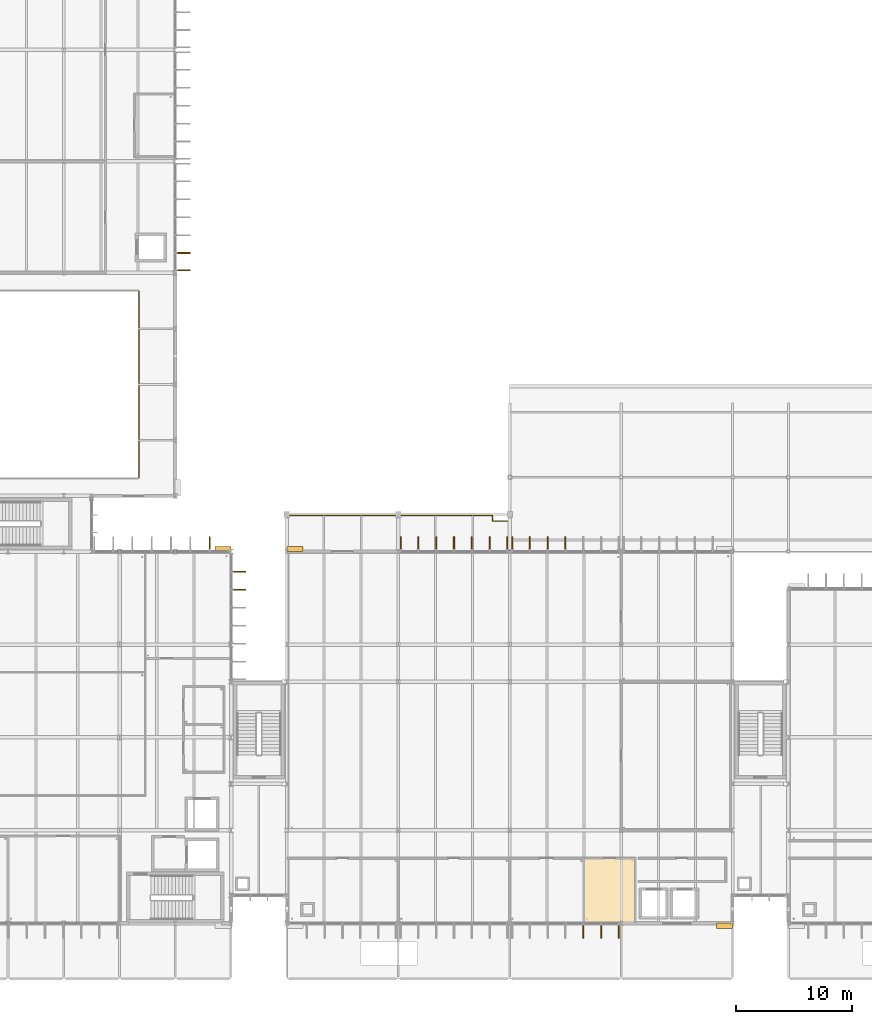
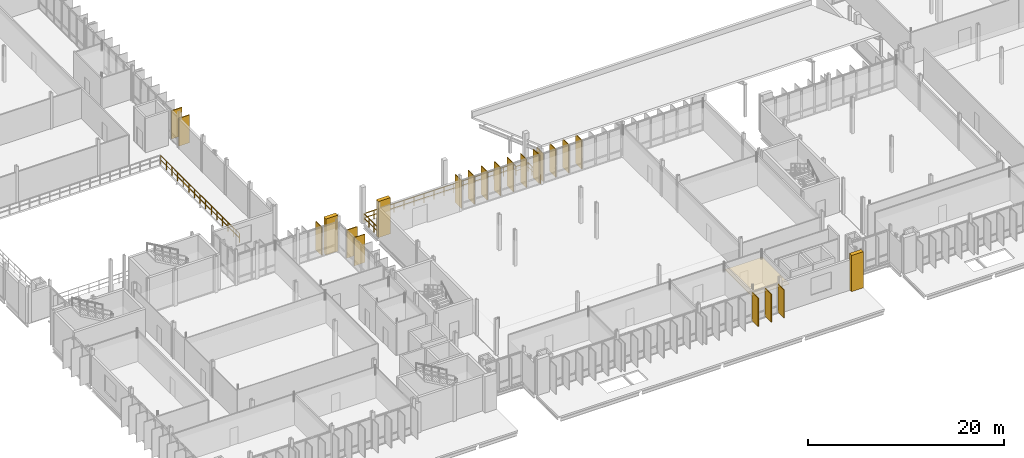
# One storey, part 101 of 107: 23 coverings, 2 railings.
"""IFC4 building model written with IfcOpenShell, lengths in metres."""

import ifcopenshell
import ifcopenshell.guid

model = None  # the IFC model being written
_history = None  # IfcOwnerHistory: only IFC2X3 demands one
_inside = {}  # id of a spatial element -> (the spatial element, [elements in it])
_under = {}  # id of a project, library or spatial element -> (it, [spatial elements below it])
_declared = {}  # id of a project -> (the project, [libraries it declares])
_typed = {}  # id of a type object -> (the type object, [elements of that type])
_made_of = {}  # id of a material, layer set ... -> (it, [elements and type objects made of it])


def new_model(schema):
    """Start an empty IFC model of exactly this schema.

    Asked for "IFC4X3", IfcOpenShell would pick the latest addendum, in which some entities
    have other attributes; the version numbers below select the first issue.
    IFC2X3 requires an IfcOwnerHistory on every rooted entity: one is made here for all.
    """
    global model, _history
    if schema == "IFC4X3":
        model = ifcopenshell.file(schema_version=(4, 3, 0, 0))
    else:
        model = ifcopenshell.file(schema=schema)
    _inside.clear()
    _under.clear()
    _declared.clear()
    _typed.clear()
    _made_of.clear()
    _history = None
    if model.schema == "IFC2X3":
        org = make("IfcOrganization", Name="unknown")
        user = make(
            "IfcPersonAndOrganization",
            ThePerson=make("IfcPerson", FamilyName="unknown"),
            TheOrganization=org,
        )
        app = make(
            "IfcApplication",
            ApplicationDeveloper=org,
            Version="unknown",
            ApplicationFullName="unknown",
            ApplicationIdentifier="unknown",
        )
        _history = make(
            "IfcOwnerHistory",
            OwningUser=user,
            OwningApplication=app,
            ChangeAction="ADDED",
            CreationDate=0,
        )
    return model


def make(cls, **values):
    """One entity of the class cls with the attributes given. An attribute that is None is left unset."""
    return model.create_entity(
        cls, **{name: value for name, value in values.items() if value is not None}
    )


def rooted(cls, **values):
    """An entity with a GlobalId (a new one), such as an element, a storey or a relation."""
    return make(cls, GlobalId=ifcopenshell.guid.new(), OwnerHistory=_history, **values)


def si_unit(unit_type, name, prefix=None):
    """IfcSIUnit, for example si_unit("LENGTHUNIT", "METRE", prefix="MILLI")."""
    return make("IfcSIUnit", UnitType=unit_type, Prefix=prefix, Name=name)


def assignment(units):
    """IfcUnitAssignment: the units of a project."""
    return None if units is None else make("IfcUnitAssignment", Units=units)


def point(xyz):
    """IfcCartesianPoint."""
    return None if xyz is None else make("IfcCartesianPoint", Coordinates=xyz)


def direction(xyz):
    """IfcDirection."""
    return None if xyz is None else make("IfcDirection", DirectionRatios=xyz)


def frame(location, z_axis=None, x_axis=None):
    """IfcAxis2Placement3D, a coordinate frame: its origin and axes. An axis left out is left unset."""
    return make(
        "IfcAxis2Placement3D",
        Location=point(location),
        Axis=direction(z_axis),
        RefDirection=direction(x_axis),
    )


def frame_2d(location, x_axis=None):
    """IfcAxis2Placement2D, a coordinate frame in the plane: its origin and x axis."""
    return make(
        "IfcAxis2Placement2D", Location=point(location), RefDirection=direction(x_axis)
    )


def origin():
    """The frame at (0, 0, 0) with its axes left unset."""
    return frame((0.0, 0.0, 0.0))


def origin_2d():
    """The frame at (0, 0) in the plane with its x axis left unset."""
    return frame_2d((0.0, 0.0))


def place(relative_to, where):
    """IfcLocalPlacement: puts the frame where relative to a parent placement (None: the world)."""
    return make(
        "IfcLocalPlacement", PlacementRelTo=relative_to, RelativePlacement=where
    )


def context(
    kind, dimensions, precision=None, world=None, true_north=None, identifier=None
):
    """IfcGeometricRepresentationContext, for example the 3D "Model" context."""
    return make(
        "IfcGeometricRepresentationContext",
        ContextIdentifier=identifier,
        ContextType=kind,
        CoordinateSpaceDimension=dimensions,
        Precision=precision,
        WorldCoordinateSystem=world,
        TrueNorth=true_north,
    )


def subcontext(parent, identifier, kind, view, scale=None):
    """IfcGeometricRepresentationSubContext, for example "Body" below "Model"."""
    return make(
        "IfcGeometricRepresentationSubContext",
        ContextIdentifier=identifier,
        ContextType=kind,
        ParentContext=parent,
        TargetScale=scale,
        TargetView=view,
    )


def project(units=None, contexts=None):
    """IfcProject with its units and contexts."""
    return rooted(
        "IfcProject",
        Name="project",
        RepresentationContexts=contexts,
        UnitsInContext=assignment(units),
    )


def spatial(cls, under=None, at=None, **own):
    """A site, building, storey or space (cls), placed at a placement, below another one or the project."""
    s = rooted(cls, ObjectPlacement=at, **own)
    if under is not None:
        _under.setdefault(under.id(), (under, []))[1].append(s)
    return s


def polyline(points):
    """IfcPolyline through the points."""
    return make("IfcPolyline", Points=[point(p) for p in points])


def profile(cls, at=None, kind="AREA", **sizes):
    """A parametric profile (cls). Its sizes go by their IFC names, for example OverallWidth=200.0."""
    return make(cls, ProfileType=kind, Position=at, **sizes)


def rectangle(**sizes):
    """IfcRectangleProfileDef."""
    return profile("IfcRectangleProfileDef", **sizes)


def circle(**sizes):
    """IfcCircleProfileDef."""
    return profile("IfcCircleProfileDef", **sizes)


def outline(outer, holes=None, kind="AREA"):
    """IfcArbitraryClosedProfileDef: a profile drawn as a closed curve; with holes, ...WithVoids."""
    if holes is None:
        return make("IfcArbitraryClosedProfileDef", ProfileType=kind, OuterCurve=outer)
    return make(
        "IfcArbitraryProfileDefWithVoids",
        ProfileType=kind,
        OuterCurve=outer,
        InnerCurves=holes,
    )


def extrude(swept, where, along, depth):
    """IfcExtrudedAreaSolid: the profile swept, set in the frame where, extruded along a direction by depth."""
    return make(
        "IfcExtrudedAreaSolid",
        SweptArea=swept,
        Position=where,
        ExtrudedDirection=direction(along),
        Depth=depth,
    )


def shape(context_of_items, identifier, shape_type, items):
    """IfcShapeRepresentation: the items that make up one representation, for example the "Body"."""
    return make(
        "IfcShapeRepresentation",
        ContextOfItems=context_of_items,
        RepresentationIdentifier=identifier,
        RepresentationType=shape_type,
        Items=items,
    )


def material(Name=None, Category=None):
    """IfcMaterial."""
    return make("IfcMaterial", Name=Name, Category=Category)


def layer(
    of_material, thickness, ventilated=None, Name=None, Category=None, Priority=None
):
    """IfcMaterialLayer: one layer of a wall or slab, of a material (None: an air gap)."""
    return make(
        "IfcMaterialLayer",
        Material=of_material,
        LayerThickness=thickness,
        IsVentilated=ventilated,
        Name=Name,
        Category=Category,
        Priority=Priority,
    )


def layer_set(layers, Name=None):
    """IfcMaterialLayerSet."""
    return make("IfcMaterialLayerSet", MaterialLayers=layers, LayerSetName=Name)


def made_of(thing, what):
    """Note that an element or type object is made of a material, layer set ...; save() writes the relation."""
    if what is not None:
        _made_of.setdefault(what.id(), (what, []))[1].append(thing)
    return thing


def type_object(cls, material=None, **own):
    """A type object (cls), such as IfcWallType, which elements share."""
    return made_of(rooted(cls, **own), material)


def element(
    cls,
    number,
    at=None,
    inside=None,
    cuts=None,
    type_object=None,
    material=None,
    context=None,
    identifier="Body",
    shape_type=None,
    held_by="IfcProductDefinitionShape",
    body=None,
    shapes=None,
    **own,
):
    """One element of the class cls, such as IfcWall. Its Tag is "e" and its number.

    at: its placement. inside: the storey or other place that contains it. cuts: it is an
    opening in that element (IfcRelVoidsElement). A single representation is given by context,
    identifier, shape_type and body (its items); several are given by shapes. held_by: the class
    of the entity that holds the representations. save() writes the other relations.
    """
    e = rooted(cls, Tag="e%d" % number, ObjectPlacement=at, **own)
    if body is not None:
        shapes = [shape(context, identifier, shape_type, body)]
    if shapes is not None:
        e.Representation = make(held_by, Representations=shapes)
    if inside is not None:
        _inside.setdefault(inside.id(), (inside, []))[1].append(e)
    if cuts is not None:
        rooted(
            "IfcRelVoidsElement", RelatingBuildingElement=cuts, RelatedOpeningElement=e
        )
    if type_object is not None:
        _typed.setdefault(type_object.id(), (type_object, []))[1].append(e)
    return made_of(e, material)


def aggregate(whole, parts):
    """IfcRelAggregates: a whole, such as a stair, and the parts it consists of."""
    return rooted("IfcRelAggregates", RelatingObject=whole, RelatedObjects=parts)


def save(model, path):
    """Write the relations noted so far, then the file.

    IfcRelAggregates (storeys below a building ...), IfcRelContainedInSpatialStructure (elements
    in a storey), IfcRelDefinesByType, IfcRelAssociatesMaterial and IfcRelDeclares: one each for
    every whole, place, type object, material and project.
    """
    for whole, parts in _under.values():
        aggregate(whole, parts)
    for where, things in _inside.values():
        rooted(
            "IfcRelContainedInSpatialStructure",
            RelatedElements=things,
            RelatingStructure=where,
        )
    for kind, things in _typed.values():
        rooted("IfcRelDefinesByType", RelatedObjects=things, RelatingType=kind)
    for what, things in _made_of.values():
        rooted("IfcRelAssociatesMaterial", RelatedObjects=things, RelatingMaterial=what)
    for by, libraries in _declared.values():
        rooted("IfcRelDeclares", RelatingContext=by, RelatedDefinitions=libraries)
    model.write(path)


model = new_model("IFC4")

# Units and contexts
model_context = context("Model", 3, precision=1e-05, world=origin(), true_north=direction((0.0, 1.0)))
body_context = subcontext(model_context, "Body", "Model", "MODEL_VIEW")
ifc_project = project(units=[si_unit("LENGTHUNIT", "METRE"), si_unit("AREAUNIT", "SQUARE_METRE"), si_unit("VOLUMEUNIT", "CUBIC_METRE"), si_unit("PLANEANGLEUNIT", "RADIAN"), si_unit("MASSUNIT", "GRAM", prefix="KILO")], contexts=[model_context])

# Site, building, storey
site_placement = place(None, origin())
site = spatial("IfcSite", under=ifc_project, at=site_placement, CompositionType="ELEMENT")
building_placement = place(site_placement, origin())
building = spatial("IfcBuilding", under=site, at=building_placement, Name="Dunescarp Central Library", CompositionType="ELEMENT")
storey_placement = place(building_placement, frame((0.0, 0.0, 5.10009765625)))
storey = spatial("IfcBuildingStorey", under=building, at=storey_placement, Name="L01", CompositionType="ELEMENT", Elevation=5.10009765625)

# Coverings
ifc_material_1 = material(Name="Mineral-fibre acoustic ceiling tile")
ifc_layer_1 = layer(ifc_material_1, 0.0400390625)
ifc_layer_set_1 = layer_set([ifc_layer_1], Name="Mineral-fibre acoustic ceiling tile")
covering_type_1 = type_object("IfcCoveringType", Name="ARC-COV-CEIL40", PredefinedType="CEILING", material=ifc_layer_set_1)
covering_1_placement = place(storey_placement, frame((0.0, 0.0, 3.0498046875)))
element("IfcCovering", 1, at=covering_1_placement, inside=storey, type_object=covering_type_1, Name="L01 ceiling Wing Washrooms & WC", PredefinedType="CEILING", context=body_context, shape_type="SweptSolid", body=[
    extrude(outline(polyline([(63.97998046875, 4.919921875), (68.419921875, 4.919921875), (68.419921875, 10.419921875), (63.97998046875, 10.419921875), (63.97998046875, 4.919921875)])), origin(), (0.0, 0.0, 1.0), 0.0400390625),
])
ifc_material_2 = material(Name="Glass-fibre reinforced concrete GRC", Category="concrete")
ifc_layer_2 = layer(ifc_material_2, 0.090087890625)
ifc_layer_set_2 = layer_set([ifc_layer_2], Name="Glass-fibre reinforced concrete GRC")
covering_type_2 = type_object("IfcCoveringType", Name="ARC-COV-FIN1250", PredefinedType="CLADDING", material=ifc_layer_set_2)
covering_2_placement = place(storey_placement, frame((31.760986328125, 37.4619140625, 0.08056640625), z_axis=(0.0, 0.0, 1.0), x_axis=(0.0, 1.0, 0.0)))
element("IfcCovering", 2, at=covering_2_placement, inside=storey, type_object=covering_type_2, Name="L01 parametric vertical facade fin FIN-L01-0056", PredefinedType="CLADDING", context=body_context, shape_type="SweptSolid", body=[
    extrude(rectangle(XDim=1.25, YDim=0.090087890625, at=origin_2d()), origin(), (0.0, 0.0, 1.0), 3.510986328125),
])
covering_3_placement = place(storey_placement, frame((34.261962890625, 35.074951171875, 0.180419921875), z_axis=(0.0, 0.0, 1.0), x_axis=(1.0, 0.0, 0.0)))
element("IfcCovering", 3, at=covering_3_placement, inside=storey, type_object=covering_type_2, Name="L01 parametric vertical facade fin FIN-L01-0070", PredefinedType="CLADDING", context=body_context, shape_type="SweptSolid", body=[
    extrude(rectangle(XDim=1.25, YDim=0.090087890625, at=origin_2d()), origin(), (0.0, 0.0, 1.0), 3.5048828125),
])
covering_4_placement = place(storey_placement, frame((34.261962890625, 33.52490234375, 0.163330078125), z_axis=(0.0, 0.0, 1.0), x_axis=(1.0, 0.0, 0.0)))
element("IfcCovering", 4, at=covering_4_placement, inside=storey, type_object=covering_type_2, Name="L01 parametric vertical facade fin FIN-L01-0071", PredefinedType="CLADDING", context=body_context, shape_type="SweptSolid", body=[
    extrude(rectangle(XDim=1.25, YDim=0.090087890625, at=origin_2d()), origin(), (0.0, 0.0, 1.0), 3.52099609375),
])
covering_5_placement = place(storey_placement, frame((66.985107421875, 4.137939453125, 0.166748046875), z_axis=(0.0, 0.0, 1.0), x_axis=(0.0, -1.0, 0.0)))
element("IfcCovering", 5, at=covering_5_placement, inside=storey, type_object=covering_type_2, Name="L01 parametric vertical facade fin FIN-L01-0351", PredefinedType="CLADDING", context=body_context, shape_type="SweptSolid", body=[
    extrude(rectangle(XDim=1.25, YDim=0.090087890625, at=origin_2d()), origin(), (0.0, 0.0, 1.0), 3.51806640625),
])
covering_6_placement = place(storey_placement, frame((65.48291015625, 4.137939453125, 0.180419921875), z_axis=(0.0, 0.0, 1.0), x_axis=(0.0, -1.0, 0.0)))
element("IfcCovering", 6, at=covering_6_placement, inside=storey, type_object=covering_type_2, Name="L01 parametric vertical facade fin FIN-L01-0352", PredefinedType="CLADDING", context=body_context, shape_type="SweptSolid", body=[
    extrude(rectangle(XDim=1.25, YDim=0.090087890625, at=origin_2d()), origin(), (0.0, 0.0, 1.0), 3.5048828125),
])
covering_7_placement = place(storey_placement, frame((63.94189453125, 4.137939453125, 0.163330078125), z_axis=(0.0, 0.0, 1.0), x_axis=(0.0, -1.0, 0.0)))
element("IfcCovering", 7, at=covering_7_placement, inside=storey, type_object=covering_type_2, Name="L01 parametric vertical facade fin FIN-L01-0353", PredefinedType="CLADDING", context=body_context, shape_type="SweptSolid", body=[
    extrude(rectangle(XDim=1.25, YDim=0.090087890625, at=origin_2d()), origin(), (0.0, 0.0, 1.0), 3.52099609375),
])
covering_8_placement = place(storey_placement, frame((48.215087890625, 37.4619140625, 0.166748046875), z_axis=(0.0, 0.0, 1.0), x_axis=(0.0, 1.0, 0.0)))
element("IfcCovering", 8, at=covering_8_placement, inside=storey, type_object=covering_type_2, Name="L01 parametric vertical facade fin FIN-L01-0358", PredefinedType="CLADDING", context=body_context, shape_type="SweptSolid", body=[
    extrude(rectangle(XDim=1.25, YDim=0.090087890625, at=origin_2d()), origin(), (0.0, 0.0, 1.0), 3.51806640625),
])
covering_9_placement = place(storey_placement, frame((49.717041015625, 37.4619140625, 0.180419921875), z_axis=(0.0, 0.0, 1.0), x_axis=(0.0, 1.0, 0.0)))
element("IfcCovering", 9, at=covering_9_placement, inside=storey, type_object=covering_type_2, Name="L01 parametric vertical facade fin FIN-L01-0359", PredefinedType="CLADDING", context=body_context, shape_type="SweptSolid", body=[
    extrude(rectangle(XDim=1.25, YDim=0.090087890625, at=origin_2d()), origin(), (0.0, 0.0, 1.0), 3.5048828125),
])
covering_10_placement = place(storey_placement, frame((51.258056640625, 37.4619140625, 0.163330078125), z_axis=(0.0, 0.0, 1.0), x_axis=(0.0, 1.0, 0.0)))
element("IfcCovering", 10, at=covering_10_placement, inside=storey, type_object=covering_type_2, Name="L01 parametric vertical facade fin FIN-L01-0360", PredefinedType="CLADDING", context=body_context, shape_type="SweptSolid", body=[
    extrude(rectangle(XDim=1.25, YDim=0.090087890625, at=origin_2d()), origin(), (0.0, 0.0, 1.0), 3.52099609375),
])
covering_11_placement = place(storey_placement, frame((52.800048828125, 37.4619140625, 0.122802734375), z_axis=(0.0, 0.0, 1.0), x_axis=(0.0, 1.0, 0.0)))
element("IfcCovering", 11, at=covering_11_placement, inside=storey, type_object=covering_type_2, Name="L01 parametric vertical facade fin FIN-L01-0361", PredefinedType="CLADDING", context=body_context, shape_type="SweptSolid", body=[
    extrude(rectangle(XDim=1.25, YDim=0.090087890625, at=origin_2d()), origin(), (0.0, 0.0, 1.0), 3.56201171875),
])
covering_12_placement = place(storey_placement, frame((54.342041015625, 37.4619140625, 0.080078125), z_axis=(0.0, 0.0, 1.0), x_axis=(0.0, 1.0, 0.0)))
element("IfcCovering", 12, at=covering_12_placement, inside=storey, type_object=covering_type_2, Name="L01 parametric vertical facade fin FIN-L01-0362", PredefinedType="CLADDING", context=body_context, shape_type="SweptSolid", body=[
    extrude(rectangle(XDim=1.25, YDim=0.090087890625, at=origin_2d()), origin(), (0.0, 0.0, 1.0), 3.593994140625),
])
covering_13_placement = place(storey_placement, frame((55.883056640625, 37.4619140625, 0.079833984375), z_axis=(0.0, 0.0, 1.0), x_axis=(0.0, 1.0, 0.0)))
element("IfcCovering", 13, at=covering_13_placement, inside=storey, type_object=covering_type_2, Name="L01 parametric vertical facade fin FIN-L01-0363", PredefinedType="CLADDING", context=body_context, shape_type="SweptSolid", body=[
    extrude(rectangle(XDim=1.25, YDim=0.090087890625, at=origin_2d()), origin(), (0.0, 0.0, 1.0), 3.5439453125),
])
covering_14_placement = place(storey_placement, frame((57.385009765625, 37.4619140625, 0.08056640625), z_axis=(0.0, 0.0, 1.0), x_axis=(0.0, 1.0, 0.0)))
element("IfcCovering", 14, at=covering_14_placement, inside=storey, type_object=covering_type_2, Name="L01 parametric vertical facade fin FIN-L01-0364", PredefinedType="CLADDING", context=body_context, shape_type="SweptSolid", body=[
    extrude(rectangle(XDim=1.25, YDim=0.090087890625, at=origin_2d()), origin(), (0.0, 0.0, 1.0), 3.510986328125),
])
covering_15_placement = place(storey_placement, frame((57.81494140625, 37.4619140625, 0.166748046875), z_axis=(0.0, 0.0, 1.0), x_axis=(0.0, 1.0, 0.0)))
element("IfcCovering", 15, at=covering_15_placement, inside=storey, type_object=covering_type_2, Name="L01 parametric vertical facade fin FIN-L01-0365", PredefinedType="CLADDING", context=body_context, shape_type="SweptSolid", body=[
    extrude(rectangle(XDim=1.25, YDim=0.090087890625, at=origin_2d()), origin(), (0.0, 0.0, 1.0), 3.51806640625),
])
covering_16_placement = place(storey_placement, frame((59.31689453125, 37.4619140625, 0.180419921875), z_axis=(0.0, 0.0, 1.0), x_axis=(0.0, 1.0, 0.0)))
element("IfcCovering", 16, at=covering_16_placement, inside=storey, type_object=covering_type_2, Name="L01 parametric vertical facade fin FIN-L01-0366", PredefinedType="CLADDING", context=body_context, shape_type="SweptSolid", body=[
    extrude(rectangle(XDim=1.25, YDim=0.090087890625, at=origin_2d()), origin(), (0.0, 0.0, 1.0), 3.5048828125),
])
covering_17_placement = place(storey_placement, frame((60.85791015625, 37.4619140625, 0.163330078125), z_axis=(0.0, 0.0, 1.0), x_axis=(0.0, 1.0, 0.0)))
element("IfcCovering", 17, at=covering_17_placement, inside=storey, type_object=covering_type_2, Name="L01 parametric vertical facade fin FIN-L01-0367", PredefinedType="CLADDING", context=body_context, shape_type="SweptSolid", body=[
    extrude(rectangle(XDim=1.25, YDim=0.090087890625, at=origin_2d()), origin(), (0.0, 0.0, 1.0), 3.52099609375),
])
covering_18_placement = place(storey_placement, frame((62.39990234375, 37.4619140625, 0.122802734375), z_axis=(0.0, 0.0, 1.0), x_axis=(0.0, 1.0, 0.0)))
element("IfcCovering", 18, at=covering_18_placement, inside=storey, type_object=covering_type_2, Name="L01 parametric vertical facade fin FIN-L01-0368", PredefinedType="CLADDING", context=body_context, shape_type="SweptSolid", body=[
    extrude(rectangle(XDim=1.25, YDim=0.090087890625, at=origin_2d()), origin(), (0.0, 0.0, 1.0), 3.56201171875),
])
covering_19_placement = place(storey_placement, frame((29.4619140625, 62.51708984375, 0.08056640625), z_axis=(0.0, 0.0, 1.0), x_axis=(1.0, 0.0, 0.0)))
element("IfcCovering", 19, at=covering_19_placement, inside=storey, type_object=covering_type_2, Name="L01 parametric vertical facade fin FIN-L01-0795", PredefinedType="CLADDING", context=body_context, shape_type="SweptSolid", body=[
    extrude(rectangle(XDim=1.25, YDim=0.090087890625, at=origin_2d()), origin(), (0.0, 0.0, 1.0), 3.510986328125),
])
covering_20_placement = place(storey_placement, frame((29.4619140625, 61.014892578125, 0.079833984375), z_axis=(0.0, 0.0, 1.0), x_axis=(1.0, 0.0, 0.0)))
element("IfcCovering", 20, at=covering_20_placement, inside=storey, type_object=covering_type_2, Name="L01 parametric vertical facade fin FIN-L01-0796", PredefinedType="CLADDING", context=body_context, shape_type="SweptSolid", body=[
    extrude(rectangle(XDim=1.25, YDim=0.090087890625, at=origin_2d()), origin(), (0.0, 0.0, 1.0), 3.47802734375),
])
ifc_layer_3 = layer(ifc_material_2, 0.449951171875)
ifc_layer_set_3 = layer_set([ifc_layer_3], Name="Glass-fibre reinforced concrete GRC")
covering_type_3 = type_object("IfcCoveringType", Name="ARC-COV-PORTAL", PredefinedType="CLADDING", material=ifc_layer_set_3)
for number, where, z_axis, x_axis, name in (
    (21, (39.10009765625, 37.02001953125, 0.0), (0.0, 0.0, 1.0), (1.0, 0.0, 0.0), "V2 sculpted GRC portal pier PRT-BAND-V2-006"),
    (22, (76.10009765625, 4.580078125, 0.0), (0.0, 0.0, 1.0), (1.0, 0.0, 0.0), "V2 sculpted GRC portal pier PRT-BAND-V2-007"),
    (23, (32.89990234375, 37.02001953125, 0.0), (0.0, 0.0, 1.0), (1.0, 0.0, 0.0), "V1 sculpted GRC portal pier PRT-BAND-V1-088"),
):
    element("IfcCovering", number, at=place(storey_placement, frame(where, z_axis=z_axis, x_axis=x_axis)), inside=storey, type_object=covering_type_3, Name=name, PredefinedType="CLADDING", context=body_context, shape_type="SweptSolid", body=[
        extrude(rectangle(XDim=1.39990234375, YDim=0.449951171875, at=origin_2d()), origin(), (0.0, 0.0, 1.0), 4.5),
    ])

# Railings
ifc_material_3 = material(Name="Stainless steel Grade 316L", Category="steel")
railing_type_1 = type_object("IfcRailingType", Name="ARC-RL-BAL", PredefinedType="BALUSTRADE", material=ifc_material_3)
railing_1_placement = place(storey_placement, frame((38.47998046875, 36.8798828125, 0.0)))
element("IfcRailing", 24, at=railing_1_placement, inside=storey, type_object=railing_type_1, Name="L01 terrace balustrade TER-L01-V2N", PredefinedType="BALUSTRADE", context=body_context, shape_type="SweptSolid", body=[
    extrude(circle(Radius=0.02392578125, at=origin_2d()), frame((0.0, 0.0, 1.076171875), z_axis=(0.0, 1.0, 0.0), x_axis=(-1.0, 0.0, 0.0)), (0.0, 0.0, 1.0), 3.0400390625),
    extrude(circle(Radius=0.02392578125, at=origin_2d()), frame((0.0, 0.0, 0.550048828125), z_axis=(0.0, 1.0, 0.0), x_axis=(-1.0, 0.0, 0.0)), (0.0, 0.0, 1.0), 3.0400390625),
    extrude(circle(Radius=0.02392578125, at=origin_2d()), frame((0.0, 3.0400390625, 1.076171875), z_axis=(1.0, 0.0, 0.0), x_axis=(0.0, 1.0, 0.0)), (0.0, 0.0, 1.0), 17.64013671875),
    extrude(circle(Radius=0.02392578125, at=origin_2d()), frame((0.0, 3.0400390625, 0.550048828125), z_axis=(1.0, 0.0, 0.0), x_axis=(0.0, 1.0, 0.0)), (0.0, 0.0, 1.0), 17.64013671875),
    extrude(circle(Radius=0.02392578125, at=origin_2d()), frame((17.64013671875, 3.0400390625, 1.076171875), z_axis=(0.0, -1.0, 0.0), x_axis=(1.0, 0.0, 0.0)), (0.0, 0.0, 1.0), 0.5),
    extrude(circle(Radius=0.02392578125, at=origin_2d()), frame((17.64013671875, 3.0400390625, 0.550048828125), z_axis=(0.0, -1.0, 0.0), x_axis=(1.0, 0.0, 0.0)), (0.0, 0.0, 1.0), 0.5),
    extrude(circle(Radius=0.02392578125, at=origin_2d()), frame((17.64013671875, 2.5400390625, 1.076171875), z_axis=(1.0, 0.0, 0.0), x_axis=(0.0, 1.0, 0.0)), (0.0, 0.0, 1.0), 1.39990234375),
    extrude(circle(Radius=0.02392578125, at=origin_2d()), frame((17.64013671875, 2.5400390625, 0.550048828125), z_axis=(1.0, 0.0, 0.0), x_axis=(0.0, 1.0, 0.0)), (0.0, 0.0, 1.0), 1.39990234375),
    extrude(circle(Radius=0.02392578125, at=origin_2d()), frame((19.0400390625, 2.5400390625, 1.076171875), z_axis=(0.0, -1.0, 0.0), x_axis=(1.0, 0.0, 0.0)), (0.0, 0.0, 1.0), 2.5400390625),
    extrude(circle(Radius=0.02392578125, at=origin_2d()), frame((19.0400390625, 2.5400390625, 0.550048828125), z_axis=(0.0, -1.0, 0.0), x_axis=(1.0, 0.0, 0.0)), (0.0, 0.0, 1.0), 2.5400390625),
    extrude(circle(Radius=0.02099609375, at=origin_2d()), origin(), (0.0, 0.0, 1.0), 1.052001953125),
    extrude(circle(Radius=0.02099609375, at=origin_2d()), frame((0.0, 1.013427734375, 0.0)), (0.0, 0.0, 1.0), 1.052001953125),
    extrude(circle(Radius=0.02099609375, at=origin_2d()), frame((0.0, 2.026611328125, 0.0)), (0.0, 0.0, 1.0), 1.052001953125),
    extrude(circle(Radius=0.02099609375, at=origin_2d()), frame((0.0, 3.0400390625, 0.0)), (0.0, 0.0, 1.0), 1.052001953125),
    extrude(circle(Radius=0.02099609375, at=origin_2d()), frame((1.176025390625, 3.0400390625, 0.0)), (0.0, 0.0, 1.0), 1.052001953125),
    extrude(circle(Radius=0.02099609375, at=origin_2d()), frame((2.35205078125, 3.0400390625, 0.0)), (0.0, 0.0, 1.0), 1.052001953125),
    extrude(circle(Radius=0.02099609375, at=origin_2d()), frame((3.528076171875, 3.0400390625, 0.0)), (0.0, 0.0, 1.0), 1.052001953125),
    extrude(circle(Radius=0.02099609375, at=origin_2d()), frame((4.7041015625, 3.0400390625, 0.0)), (0.0, 0.0, 1.0), 1.052001953125),
    extrude(circle(Radius=0.02099609375, at=origin_2d()), frame((5.880126953125, 3.0400390625, 0.0)), (0.0, 0.0, 1.0), 1.052001953125),
    extrude(circle(Radius=0.02099609375, at=origin_2d()), frame((7.05615234375, 3.0400390625, 0.0)), (0.0, 0.0, 1.0), 1.052001953125),
    extrude(circle(Radius=0.02099609375, at=origin_2d()), frame((8.232177734375, 3.0400390625, 0.0)), (0.0, 0.0, 1.0), 1.052001953125),
    extrude(circle(Radius=0.02099609375, at=origin_2d()), frame((9.407958984375, 3.0400390625, 0.0)), (0.0, 0.0, 1.0), 1.052001953125),
    extrude(circle(Radius=0.02099609375, at=origin_2d()), frame((10.583984375, 3.0400390625, 0.0)), (0.0, 0.0, 1.0), 1.052001953125),
    extrude(circle(Radius=0.02099609375, at=origin_2d()), frame((11.760009765625, 3.0400390625, 0.0)), (0.0, 0.0, 1.0), 1.052001953125),
    extrude(circle(Radius=0.02099609375, at=origin_2d()), frame((12.93603515625, 3.0400390625, 0.0)), (0.0, 0.0, 1.0), 1.052001953125),
    extrude(circle(Radius=0.02099609375, at=origin_2d()), frame((14.112060546875, 3.0400390625, 0.0)), (0.0, 0.0, 1.0), 1.052001953125),
    extrude(circle(Radius=0.02099609375, at=origin_2d()), frame((15.2880859375, 3.0400390625, 0.0)), (0.0, 0.0, 1.0), 1.052001953125),
    extrude(circle(Radius=0.02099609375, at=origin_2d()), frame((16.464111328125, 3.0400390625, 0.0)), (0.0, 0.0, 1.0), 1.052001953125),
    extrude(circle(Radius=0.02099609375, at=origin_2d()), frame((17.64013671875, 3.0400390625, 0.0)), (0.0, 0.0, 1.0), 1.052001953125),
    extrude(circle(Radius=0.02099609375, at=origin_2d()), frame((17.64013671875, 2.5400390625, 0.0)), (0.0, 0.0, 1.0), 1.052001953125),
    extrude(circle(Radius=0.02099609375, at=origin_2d()), frame((18.340087890625, 2.5400390625, 0.0)), (0.0, 0.0, 1.0), 1.052001953125),
    extrude(circle(Radius=0.02099609375, at=origin_2d()), frame((19.0400390625, 2.5400390625, 0.0)), (0.0, 0.0, 1.0), 1.052001953125),
    extrude(circle(Radius=0.02099609375, at=origin_2d()), frame((19.0400390625, 1.693359375, 0.0)), (0.0, 0.0, 1.0), 1.052001953125),
    extrude(circle(Radius=0.02099609375, at=origin_2d()), frame((19.0400390625, 0.8466796875, 0.0)), (0.0, 0.0, 1.0), 1.052001953125),
    extrude(circle(Radius=0.02099609375, at=origin_2d()), frame((19.0400390625, 0.0, 0.0)), (0.0, 0.0, 1.0), 1.052001953125),
])
railing_type_2 = type_object("IfcRailingType", Name="ARC-RL-GUARD", PredefinedType="GUARDRAIL", material=ifc_material_3)
railing_2_placement = place(storey_placement, frame((25.679931640625, 43.179931640625, 0.0)))
element("IfcRailing", 25, at=railing_2_placement, inside=storey, type_object=railing_type_2, Name="L01 void guardrail GRD-AUD-L01-E", PredefinedType="GUARDRAIL", context=body_context, shape_type="SweptSolid", body=[
    extrude(circle(Radius=0.02392578125, at=origin_2d()), frame((0.0, 0.0, 1.076171875), z_axis=(0.0, 1.0, 0.0), x_axis=(-1.0, 0.0, 0.0)), (0.0, 0.0, 1.0), 16.0400390625),
    extrude(circle(Radius=0.02392578125, at=origin_2d()), frame((0.0, 0.0, 0.550048828125), z_axis=(0.0, 1.0, 0.0), x_axis=(-1.0, 0.0, 0.0)), (0.0, 0.0, 1.0), 16.0400390625),
    extrude(circle(Radius=0.02099609375, at=origin_2d()), origin(), (0.0, 0.0, 1.0), 1.052001953125),
    extrude(circle(Radius=0.02099609375, at=origin_2d()), frame((0.0, 1.145751953125, 0.0)), (0.0, 0.0, 1.0), 1.052001953125),
    extrude(circle(Radius=0.02099609375, at=origin_2d()), frame((0.0, 2.29150390625, 0.0)), (0.0, 0.0, 1.0), 1.052001953125),
    extrude(circle(Radius=0.02099609375, at=origin_2d()), frame((0.0, 3.437255859375, 0.0)), (0.0, 0.0, 1.0), 1.052001953125),
    extrude(circle(Radius=0.02099609375, at=origin_2d()), frame((0.0, 4.582763671875, 0.0)), (0.0, 0.0, 1.0), 1.052001953125),
    extrude(circle(Radius=0.02099609375, at=origin_2d()), frame((0.0, 5.728515625, 0.0)), (0.0, 0.0, 1.0), 1.052001953125),
    extrude(circle(Radius=0.02099609375, at=origin_2d()), frame((0.0, 6.874267578125, 0.0)), (0.0, 0.0, 1.0), 1.052001953125),
    extrude(circle(Radius=0.02099609375, at=origin_2d()), frame((0.0, 8.02001953125, 0.0)), (0.0, 0.0, 1.0), 1.052001953125),
    extrude(circle(Radius=0.02099609375, at=origin_2d()), frame((0.0, 9.165771484375, 0.0)), (0.0, 0.0, 1.0), 1.052001953125),
    extrude(circle(Radius=0.02099609375, at=origin_2d()), frame((0.0, 10.3115234375, 0.0)), (0.0, 0.0, 1.0), 1.052001953125),
    extrude(circle(Radius=0.02099609375, at=origin_2d()), frame((0.0, 11.457275390625, 0.0)), (0.0, 0.0, 1.0), 1.052001953125),
    extrude(circle(Radius=0.02099609375, at=origin_2d()), frame((0.0, 12.602783203125, 0.0)), (0.0, 0.0, 1.0), 1.052001953125),
    extrude(circle(Radius=0.02099609375, at=origin_2d()), frame((0.0, 13.74853515625, 0.0)), (0.0, 0.0, 1.0), 1.052001953125),
    extrude(circle(Radius=0.02099609375, at=origin_2d()), frame((0.0, 14.894287109375, 0.0)), (0.0, 0.0, 1.0), 1.052001953125),
    extrude(circle(Radius=0.02099609375, at=origin_2d()), frame((0.0, 16.0400390625, 0.0)), (0.0, 0.0, 1.0), 1.052001953125),
])

save(model, "model.ifc")
